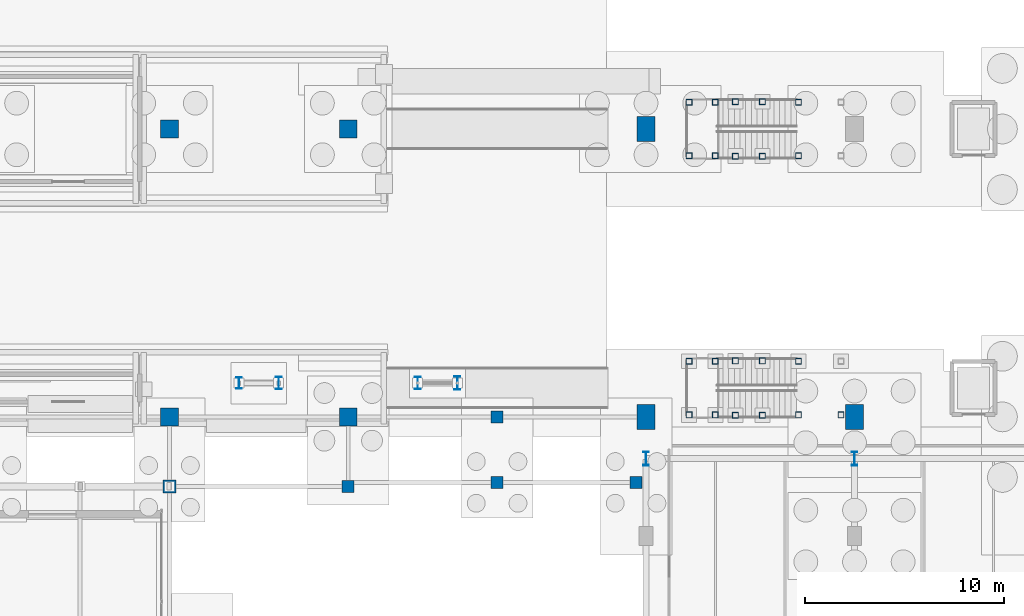
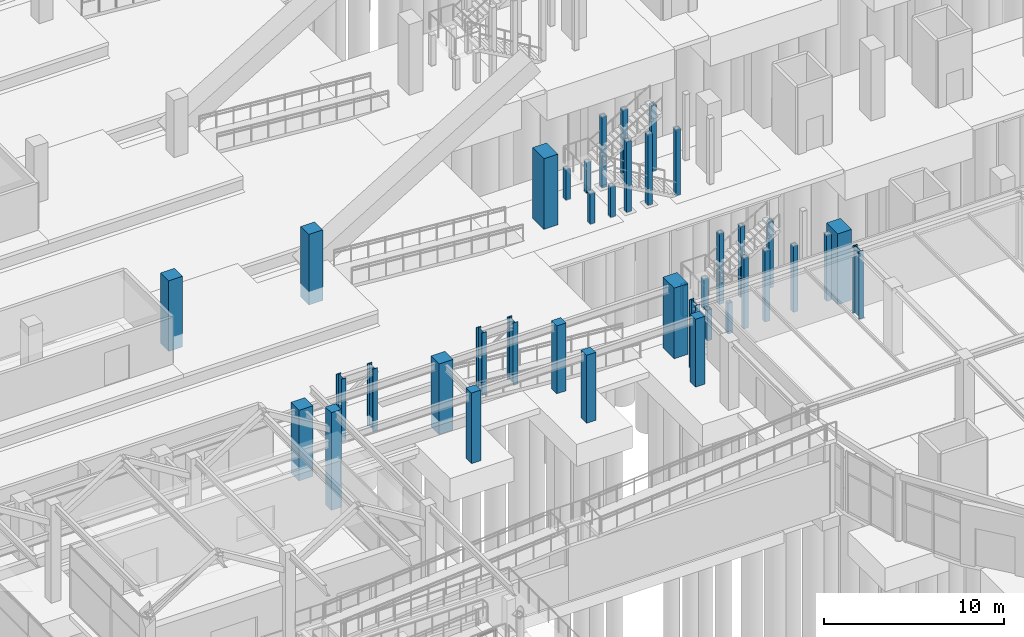
# One storey, part 16 of 160: 39 columns.
"""IFC4 building model written with IfcOpenShell, lengths in metres."""

from ifc_helpers import new_model, si_unit, direction, frame, origin, origin_2d, place, context, subcontext, project, spatial, rectangle, hollow_rectangle, i_section, extrude, material, material_profile, profile_set, type_object, element, save


model = new_model("IFC4")

# Units and contexts
model_context = context("Model", 3, precision=1e-05, world=origin(), true_north=direction((0.0, 1.0)))
body_context = subcontext(model_context, "Body", "Model", "MODEL_VIEW")
ifc_project = project(units=[si_unit("LENGTHUNIT", "METRE"), si_unit("AREAUNIT", "SQUARE_METRE"), si_unit("VOLUMEUNIT", "CUBIC_METRE"), si_unit("PLANEANGLEUNIT", "RADIAN"), si_unit("MASSUNIT", "GRAM", prefix="KILO")], contexts=[model_context])

# Site, building, storey
site_placement = place(None, origin())
site = spatial("IfcSite", under=ifc_project, at=site_placement, CompositionType="ELEMENT")
building_placement = place(site_placement, origin())
building = spatial("IfcBuilding", under=site, at=building_placement, Name="Marlcrest Central Station", CompositionType="ELEMENT")
storey_placement = place(building_placement, origin())
storey = spatial("IfcBuildingStorey", under=building, at=storey_placement, Name="L00", CompositionType="ELEMENT", Elevation=0.0)

# Columns
ifc_material_1 = material(Name="Concrete C50/60", Category="concrete")
ifc_material_profile_1 = material_profile(ifc_material_1, rectangle(XDim=0.60009765625, YDim=0.60009765625, at=origin_2d()), Name="RC 600x600")
ifc_profile_set_1 = profile_set([ifc_material_profile_1], Name="Concrete C50/60")
column_type_1 = type_object("IfcColumnType", Name="RC-04", PredefinedType="COLUMN", material=ifc_profile_set_1)
column_1_placement = place(storey_placement, frame((72.0, 33.0, 0.0), z_axis=(0.0, 0.0, 1.0), x_axis=(1.0, 0.0, 0.0)))
element("IfcColumn", 1, at=column_1_placement, inside=storey, type_object=column_type_1, Name="col-RC-04-L00-0502", PredefinedType="COLUMN", context=body_context, shape_type="SweptSolid", body=[
    extrude(rectangle(XDim=0.60009765625, YDim=0.60009765625, at=origin_2d()), origin(), (0.0, 0.0, 1.0), 4.800048828125),
])
for number, where, z_axis, x_axis, name in (
    (2, (79.5, 33.199951171875, 0.0), (0.0, 0.0, 1.0), (1.0, 0.0, 0.0), "col-RC-04-L00-0611"),
    (3, (86.5, 33.199951171875, 0.0), (0.0, 0.0, 1.0), (1.0, 0.0, 0.0), "col-RC-04-L00-0612"),
    (4, (79.5, 36.5, 0.0), (0.0, 0.0, 1.0), (1.0, 0.0, 0.0), "col-RC-04-L00-0613"),
):
    element("IfcColumn", number, at=place(storey_placement, frame(where, z_axis=z_axis, x_axis=x_axis)), inside=storey, type_object=column_type_1, Name=name, PredefinedType="COLUMN", context=body_context, shape_type="SweptSolid", body=[
        extrude(rectangle(XDim=0.60009765625, YDim=0.60009765625, at=origin_2d()), origin(), (0.0, 0.0, 1.0), 4.610107421875),
    ])
ifc_material_profile_2 = material_profile(ifc_material_1, rectangle(XDim=0.64990234375, YDim=0.64990234375, at=origin_2d()), Name="RC 650x650")
ifc_profile_set_2 = profile_set([ifc_material_profile_2], Name="Concrete C50/60")
column_type_2 = type_object("IfcColumnType", Name="RC-05", PredefinedType="COLUMN", material=ifc_profile_set_2)
column_2_placement = place(storey_placement, frame((63.0, 33.0, 0.0), z_axis=(0.0, 0.0, 1.0), x_axis=(1.0, 0.0, 0.0)))
element("IfcColumn", 5, at=column_2_placement, inside=storey, type_object=column_type_2, Name="col-RC-05-L00-0384", PredefinedType="COLUMN", context=body_context, shape_type="SweptSolid", body=[
    extrude(rectangle(XDim=0.64990234375, YDim=0.64990234375, at=origin_2d()), origin(), (0.0, 0.0, 1.0), 6.639892578125),
])
ifc_material_profile_3 = material_profile(ifc_material_1, rectangle(XDim=0.89990234375, YDim=0.89990234375, at=origin_2d()), Name="RC 900x900")
ifc_profile_set_3 = profile_set([ifc_material_profile_3], Name="Concrete C50/60")
column_type_3 = type_object("IfcColumnType", Name="RC-08", PredefinedType="COLUMN", material=ifc_profile_set_3)
for number, where, z_axis, x_axis, name in (
    (6, (63.0, 36.5, 0.0), (0.0, 0.0, 1.0), (1.0, 0.0, 0.0), "col-RC-08-L00-0482"),
    (7, (63.0, 51.0, 0.0), (0.0, 0.0, 1.0), (1.0, 0.0, 0.0), "col-RC-08-L00-0484"),
    (8, (72.0, 36.5, 0.0), (0.0, 0.0, 1.0), (1.0, 0.0, 0.0), "col-RC-08-L00-0492"),
    (9, (72.0, 51.0, 0.0), (0.0, 0.0, 1.0), (1.0, 0.0, 0.0), "col-RC-08-L00-0494"),
):
    element("IfcColumn", number, at=place(storey_placement, frame(where, z_axis=z_axis, x_axis=x_axis)), inside=storey, type_object=column_type_3, Name=name, PredefinedType="COLUMN", context=body_context, shape_type="SweptSolid", body=[
        extrude(rectangle(XDim=0.89990234375, YDim=0.89990234375, at=origin_2d()), origin(), (0.0, 0.0, 1.0), 4.800048828125),
    ])
ifc_material_profile_4 = material_profile(ifc_material_1, rectangle(XDim=0.89990234375, YDim=1.25, at=origin_2d()), Name="RC 900x1250")
ifc_profile_set_4 = profile_set([ifc_material_profile_4], Name="Concrete C50/60")
column_type_4 = type_object("IfcColumnType", Name="RC-12", PredefinedType="COLUMN", material=ifc_profile_set_4)
for number, where, z_axis, x_axis, name in (
    (10, (87.0, 36.5, 0.0), (0.0, 0.0, 1.0), (1.0, 0.0, 0.0), "col-RC-12-L00-0617"),
    (11, (87.0, 51.0, 0.0), (0.0, 0.0, 1.0), (1.0, 0.0, 0.0), "col-RC-12-L00-0619"),
    (12, (97.5, 36.5, 0.0), (0.0, 0.0, 1.0), (1.0, 0.0, 0.0), "col-RC-12-L00-0627"),
):
    element("IfcColumn", number, at=place(storey_placement, frame(where, z_axis=z_axis, x_axis=x_axis)), inside=storey, type_object=column_type_4, Name=name, PredefinedType="COLUMN", context=body_context, shape_type="SweptSolid", body=[
        extrude(rectangle(XDim=0.89990234375, YDim=1.25, at=origin_2d()), origin(), (0.0, 0.0, 1.0), 4.800048828125),
    ])
ifc_material_2 = material(Name="Steel S355", Category="steel")
ifc_material_profile_5 = material_profile(ifc_material_2, i_section(OverallWidth=0.300048828125, OverallDepth=0.699951171875, WebThickness=0.01708984375, FlangeThickness=0.031982421875, FilletRadius=0.027099609375, at=origin_2d()), Name="HEB 700")
ifc_profile_set_5 = profile_set([ifc_material_profile_5], Name="Steel S355")
column_type_5 = type_object("IfcColumnType", Name="SC-07", PredefinedType="COLUMN", material=ifc_profile_set_5)
for number, where, z_axis, x_axis, name in (
    (13, (87.0, 34.39990234375, 0.0), (0.0, 0.0, 1.0), (1.0, 0.0, 0.0), "col-SC-07-L00-0828"),
    (14, (97.5, 34.39990234375, 0.0), (0.0, 0.0, 1.0), (1.0, 0.0, 0.0), "col-SC-07-L00-0831"),
):
    element("IfcColumn", number, at=place(storey_placement, frame(where, z_axis=z_axis, x_axis=x_axis)), inside=storey, type_object=column_type_5, Name=name, PredefinedType="COLUMN", context=body_context, shape_type="SweptSolid", body=[
        extrude(i_section(OverallWidth=0.300048828125, OverallDepth=0.699951171875, WebThickness=0.01708984375, FlangeThickness=0.031982421875, FilletRadius=0.027099609375, at=origin_2d()), origin(), (0.0, 0.0, 1.0), 4.60498046875),
    ])
ifc_material_profile_6 = material_profile(ifc_material_2, i_section(OverallWidth=0.300048828125, OverallDepth=0.590087890625, WebThickness=0.012939453125, FlangeThickness=0.02490234375, FilletRadius=0.027099609375, at=origin_2d()), Name="HEA 600")
ifc_profile_set_6 = profile_set([ifc_material_profile_6], Name="Steel S355")
column_type_6 = type_object("IfcColumnType", Name="SC-14", PredefinedType="COLUMN", material=ifc_profile_set_6)
column_3_placement = place(storey_placement, frame((66.5, 38.199951171875, 0.199951171875), z_axis=(0.0, 0.0, 1.0), x_axis=(1.0, 0.0, 0.0)))
element("IfcColumn", 15, at=column_3_placement, inside=storey, type_object=column_type_6, Name="col-SC-14-L00-0913", PredefinedType="COLUMN", context=body_context, shape_type="SweptSolid", body=[
    extrude(i_section(OverallWidth=0.300048828125, OverallDepth=0.590087890625, WebThickness=0.012939453125, FlangeThickness=0.02490234375, FilletRadius=0.027099609375, at=origin_2d()), origin(), (0.0, 0.0, 1.0), 4.25),
])
ifc_material_profile_7 = material_profile(ifc_material_2, i_section(OverallWidth=0.300048828125, OverallDepth=0.639892578125, WebThickness=0.013427734375, FlangeThickness=0.02587890625, FilletRadius=0.027099609375, at=origin_2d()), Name="HEA 650")
ifc_profile_set_7 = profile_set([ifc_material_profile_7], Name="Steel S355")
column_type_7 = type_object("IfcColumnType", Name="SC-15", PredefinedType="COLUMN", material=ifc_profile_set_7)
for number, where, z_axis, x_axis, name in (
    (16, (68.5, 38.199951171875, 0.199951171875), (0.0, 0.0, 1.0), (1.0, 0.0, 0.0), "col-SC-15-L00-0914"),
    (17, (75.5, 38.199951171875, 0.199951171875), (0.0, 0.0, 1.0), (1.0, 0.0, 0.0), "col-SC-15-L00-0917"),
):
    element("IfcColumn", number, at=place(storey_placement, frame(where, z_axis=z_axis, x_axis=x_axis)), inside=storey, type_object=column_type_7, Name=name, PredefinedType="COLUMN", context=body_context, shape_type="SweptSolid", body=[
        extrude(i_section(OverallWidth=0.300048828125, OverallDepth=0.639892578125, WebThickness=0.013427734375, FlangeThickness=0.02587890625, FilletRadius=0.027099609375, at=origin_2d()), origin(), (0.0, 0.0, 1.0), 4.25),
    ])
ifc_material_profile_8 = material_profile(ifc_material_2, i_section(OverallWidth=0.300048828125, OverallDepth=0.68994140625, WebThickness=0.014404296875, FlangeThickness=0.027099609375, FilletRadius=0.027099609375, at=origin_2d()), Name="HEA 700")
ifc_profile_set_8 = profile_set([ifc_material_profile_8], Name="Steel S355")
column_type_8 = type_object("IfcColumnType", Name="SC-16", PredefinedType="COLUMN", material=ifc_profile_set_8)
column_4_placement = place(storey_placement, frame((77.5, 38.199951171875, 0.199951171875), z_axis=(0.0, 0.0, 1.0), x_axis=(1.0, 0.0, 0.0)))
element("IfcColumn", 18, at=column_4_placement, inside=storey, type_object=column_type_8, Name="col-SC-16-L00-0918", PredefinedType="COLUMN", context=body_context, shape_type="SweptSolid", body=[
    extrude(i_section(OverallWidth=0.300048828125, OverallDepth=0.68994140625, WebThickness=0.014404296875, FlangeThickness=0.027099609375, FilletRadius=0.027099609375, at=origin_2d()), origin(), (0.0, 0.0, 1.0), 4.25),
])
ifc_material_profile_9 = material_profile(ifc_material_2, hollow_rectangle(XDim=0.300048828125, YDim=0.300048828125, WallThickness=0.01611328125, at=origin_2d()), Name="SHS 300x300x16")
ifc_profile_set_9 = profile_set([ifc_material_profile_9], Name="Steel S355")
column_type_9 = type_object("IfcColumnType", Name="SC-19", PredefinedType="COLUMN", material=ifc_profile_set_9)
for number, where, z_axis, x_axis, name in (
    (19, (94.679931640625, 36.60009765625, 0.0), (0.0, 0.0, 1.0), (1.0, 0.0, 0.0), "stcol-tr-0001-946-366"),
    (20, (94.679931640625, 39.300048828125, 0.0), (0.0, 0.0, 1.0), (1.0, 0.0, 0.0), "stcol-tr-0001-946-393"),
    (21, (96.820068359375, 36.60009765625, 0.0), (0.0, 0.0, 1.0), (1.0, 0.0, 0.0), "stcol-tr-0001-968-366"),
):
    element("IfcColumn", number, at=place(storey_placement, frame(where, z_axis=z_axis, x_axis=x_axis)), inside=storey, type_object=column_type_9, Name=name, PredefinedType="COLUMN", context=body_context, shape_type="SweptSolid", body=[
        extrude(hollow_rectangle(XDim=0.300048828125, YDim=0.300048828125, WallThickness=0.01611328125, at=origin_2d()), origin(), (0.0, 0.0, 1.0), 4.47998046875),
    ])
for number, where, z_axis, x_axis, name in (
    (22, (89.169921875, 36.60009765625, 0.0), (0.0, 0.0, 1.0), (1.0, 0.0, 0.0), "stcol-0002-891-366"),
    (23, (89.169921875, 39.300048828125, 0.0), (0.0, 0.0, 1.0), (1.0, 0.0, 0.0), "stcol-0002-891-393"),
    (24, (90.489990234375, 36.60009765625, 0.0), (0.0, 0.0, 1.0), (1.0, 0.0, 0.0), "stcol-0002-904-366"),
    (25, (90.489990234375, 39.300048828125, 0.0), (0.0, 0.0, 1.0), (1.0, 0.0, 0.0), "stcol-0002-904-393"),
):
    element("IfcColumn", number, at=place(storey_placement, frame(where, z_axis=z_axis, x_axis=x_axis)), inside=storey, type_object=column_type_9, Name=name, PredefinedType="COLUMN", context=body_context, shape_type="SweptSolid", body=[
        extrude(hollow_rectangle(XDim=0.300048828125, YDim=0.300048828125, WallThickness=0.01611328125, at=origin_2d()), origin(), (0.0, 0.0, 1.0), 2.080078125),
    ])
for number, where, z_axis, x_axis, name in (
    (26, (91.5, 36.580078125, 0.0), (0.0, 0.0, 1.0), (1.0, 0.0, 0.0), "stcol-hi0-0003-915-365"),
    (27, (91.5, 39.320068359375, 0.0), (0.0, 0.0, 1.0), (1.0, 0.0, 0.0), "stcol-hi0-0003-915-393"),
    (28, (92.860107421875, 36.580078125, 0.0), (0.0, 0.0, 1.0), (1.0, 0.0, 0.0), "stcol-hi0-0003-928-365"),
    (29, (92.860107421875, 39.320068359375, 0.0), (0.0, 0.0, 1.0), (1.0, 0.0, 0.0), "stcol-hi0-0003-928-393"),
):
    element("IfcColumn", number, at=place(storey_placement, frame(where, z_axis=z_axis, x_axis=x_axis)), inside=storey, type_object=column_type_9, Name=name, PredefinedType="COLUMN", context=body_context, shape_type="SweptSolid", body=[
        extrude(hollow_rectangle(XDim=0.300048828125, YDim=0.300048828125, WallThickness=0.01611328125, at=origin_2d()), origin(), (0.0, 0.0, 1.0), 4.800048828125),
    ])
for number, where, z_axis, x_axis, name in (
    (30, (94.679931640625, 49.64990234375, 0.0), (0.0, 0.0, 1.0), (1.0, 0.0, 0.0), "stcol-tr-0007-946-496"),
    (31, (94.679931640625, 52.35009765625, 0.0), (0.0, 0.0, 1.0), (1.0, 0.0, 0.0), "stcol-tr-0007-946-523"),
):
    element("IfcColumn", number, at=place(storey_placement, frame(where, z_axis=z_axis, x_axis=x_axis)), inside=storey, type_object=column_type_9, Name=name, PredefinedType="COLUMN", context=body_context, shape_type="SweptSolid", body=[
        extrude(hollow_rectangle(XDim=0.300048828125, YDim=0.300048828125, WallThickness=0.01611328125, at=origin_2d()), origin(), (0.0, 0.0, 1.0), 4.47998046875),
    ])
for number, where, z_axis, x_axis, name in (
    (32, (89.169921875, 49.64990234375, 0.0), (0.0, 0.0, 1.0), (1.0, 0.0, 0.0), "stcol-0008-891-496"),
    (33, (89.169921875, 52.35009765625, 0.0), (0.0, 0.0, 1.0), (1.0, 0.0, 0.0), "stcol-0008-891-523"),
    (34, (90.489990234375, 49.64990234375, 0.0), (0.0, 0.0, 1.0), (1.0, 0.0, 0.0), "stcol-0008-904-496"),
    (35, (90.489990234375, 52.35009765625, 0.0), (0.0, 0.0, 1.0), (1.0, 0.0, 0.0), "stcol-0008-904-523"),
):
    element("IfcColumn", number, at=place(storey_placement, frame(where, z_axis=z_axis, x_axis=x_axis)), inside=storey, type_object=column_type_9, Name=name, PredefinedType="COLUMN", context=body_context, shape_type="SweptSolid", body=[
        extrude(hollow_rectangle(XDim=0.300048828125, YDim=0.300048828125, WallThickness=0.01611328125, at=origin_2d()), origin(), (0.0, 0.0, 1.0), 2.080078125),
    ])
for number, where, z_axis, x_axis, name in (
    (36, (91.5, 49.6298828125, 0.0), (0.0, 0.0, 1.0), (1.0, 0.0, 0.0), "stcol-hi0-0009-915-496"),
    (37, (91.5, 52.3701171875, 0.0), (0.0, 0.0, 1.0), (1.0, 0.0, 0.0), "stcol-hi0-0009-915-523"),
    (38, (92.860107421875, 49.6298828125, 0.0), (0.0, 0.0, 1.0), (1.0, 0.0, 0.0), "stcol-hi0-0009-928-496"),
    (39, (92.860107421875, 52.3701171875, 0.0), (0.0, 0.0, 1.0), (1.0, 0.0, 0.0), "stcol-hi0-0009-928-523"),
):
    element("IfcColumn", number, at=place(storey_placement, frame(where, z_axis=z_axis, x_axis=x_axis)), inside=storey, type_object=column_type_9, Name=name, PredefinedType="COLUMN", context=body_context, shape_type="SweptSolid", body=[
        extrude(hollow_rectangle(XDim=0.300048828125, YDim=0.300048828125, WallThickness=0.01611328125, at=origin_2d()), origin(), (0.0, 0.0, 1.0), 4.800048828125),
    ])

save(model, "model.ifc")
